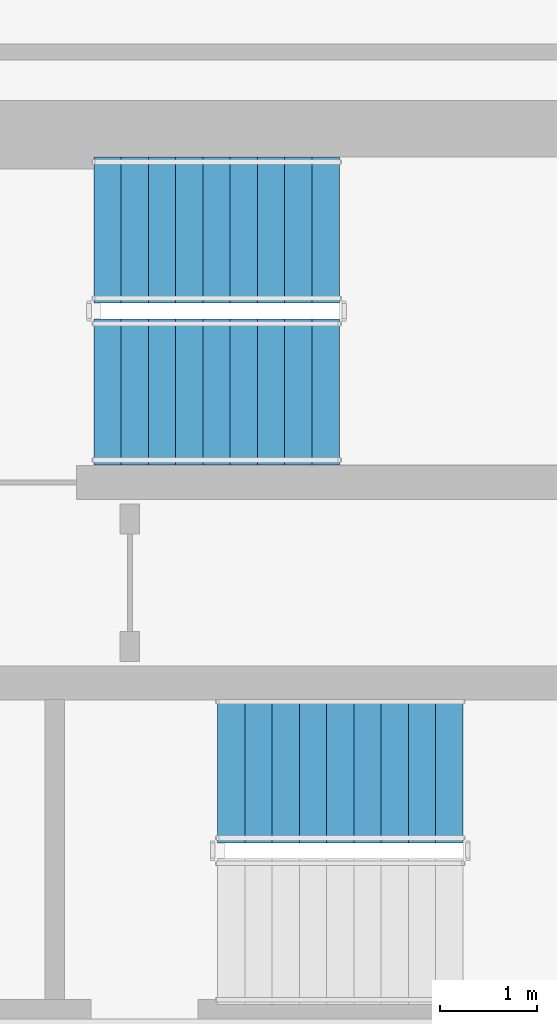
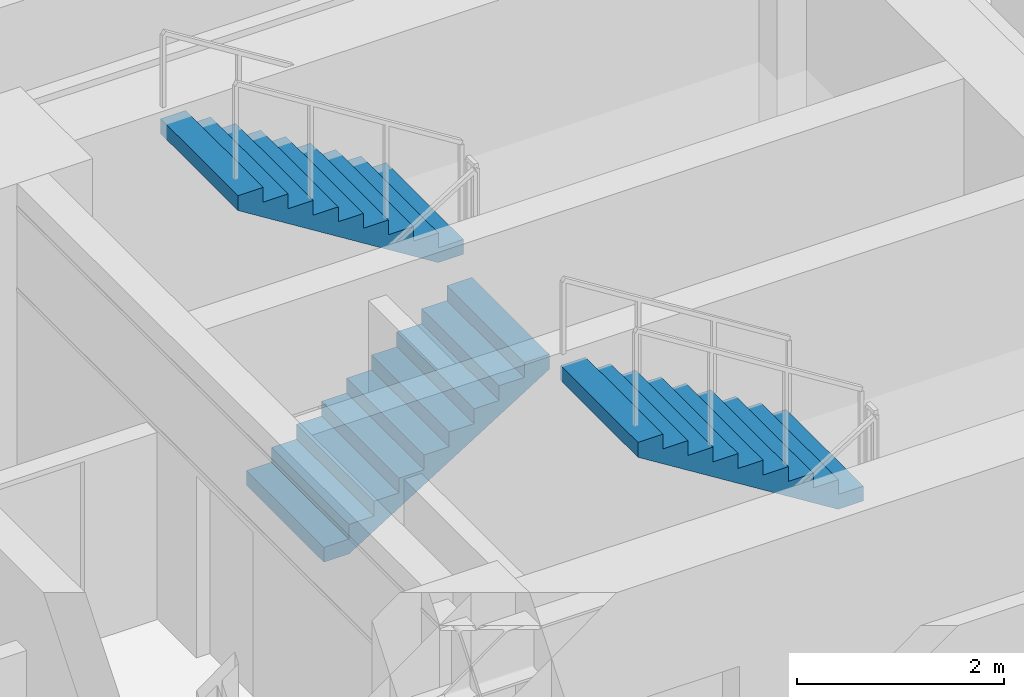
# One storey, part 12 of 16: 3 stair flights, 2 elements without a shape of their own.
"""IFC4 building model written with IfcOpenShell, lengths in metres."""

from ifc_helpers import new_model, si_unit, direction, frame, origin, place, context, subcontext, project, spatial, polyline, outline, extrude, material, layer, layer_set, type_object, element, aggregate, save


model = new_model("IFC4")

# Units and contexts
model_context = context("Model", 3, precision=1e-05, world=origin(), true_north=direction((0.0, 1.0)))
body_context = subcontext(model_context, "Body", "Model", "MODEL_VIEW")
ifc_project = project(units=[si_unit("LENGTHUNIT", "METRE"), si_unit("AREAUNIT", "SQUARE_METRE"), si_unit("VOLUMEUNIT", "CUBIC_METRE"), si_unit("PLANEANGLEUNIT", "RADIAN"), si_unit("MASSUNIT", "GRAM", prefix="KILO")], contexts=[model_context])

# Site, building, storey
site_placement = place(None, origin())
site = spatial("IfcSite", under=ifc_project, at=site_placement, CompositionType="ELEMENT")
building_placement = place(site_placement, origin())
building = spatial("IfcBuilding", under=site, at=building_placement, Name="Zarnavel Station Tower", CompositionType="ELEMENT")
storey_placement = place(building_placement, frame((0.0, 0.0, 39.5)))
storey = spatial("IfcBuildingStorey", under=building, at=storey_placement, Name="L10", CompositionType="ELEMENT", Elevation=39.5)

# Stair, stair flights
ifc_material_1 = material(Name="Concrete C45/55", Category="concrete")
stair_type = type_object("IfcStairType", Name="ST_CORE_150", PredefinedType="HALF_TURN_STAIR", material=ifc_material_1)
stair_1_placement = place(storey_placement, origin())
stair_1 = element("IfcStair", 1, at=stair_1_placement, inside=storey, type_object=stair_type, Name="L10 Core Exit Stair ST2", PredefinedType="HALF_TURN_STAIR")
ifc_material_2 = material(Name="Concrete C45/55", Category="concrete")
ifc_layer = layer(ifc_material_2, 0.179931640625)
ifc_layer_set = layer_set([ifc_layer], Name="ST_CORE_150_FLT")
stair_flight_type = type_object("IfcStairFlightType", Name="ST_CORE_150_FLT", PredefinedType="STRAIGHT", material=ifc_layer_set)
stair_flight_1_placement = place(storey_placement, frame((38.080078125, 34.409912109375, 0.0), z_axis=(0.0, 0.0, 1.0), x_axis=(1.0, 0.0, 0.0)))
stair_flight_1 = element("IfcStairFlight", 2, at=stair_flight_1_placement, type_object=stair_flight_type, Name="ST2 flight 1", NumberOfRisers=10, NumberOfTreads=9, PredefinedType="STRAIGHT", RiserHeight=0.175, TreadLength=0.28, context=body_context, shape_type="SweptSolid", body=[
    extrude(outline(polyline([(0.0, 0.0), (0.0, 0.175048828125), (0.280029296875, 0.175048828125), (0.280029296875, 0.35009765625), (0.56005859375, 0.35009765625), (0.56005859375, 0.52490234375), (0.840087890625, 0.52490234375), (0.840087890625, 0.699951171875), (1.1201171875, 0.699951171875), (1.1201171875, 0.875), (1.39990234375, 0.875), (1.39990234375, 1.050048828125), (1.679931640625, 1.050048828125), (1.679931640625, 1.22509765625), (1.9599609375, 1.22509765625), (1.9599609375, 1.39990234375), (2.239990234375, 1.39990234375), (2.239990234375, 1.574951171875), (2.52001953125, 1.574951171875), (2.52001953125, 1.75), (2.52001953125, 1.398193359375), (0.28271484375, 0.0), (0.0, 0.0)])), frame((0.0, 0.75, 0.0), z_axis=(0.0, -1.0, 0.0), x_axis=(1.0, 0.0, 0.0)), (0.0, 0.0, 1.0), 1.5),
])
stair_flight_2_placement = place(storey_placement, frame((40.60009765625, 36.070068359375, 1.75), z_axis=(0.0, 0.0, 1.0), x_axis=(-1.0, 0.0, 0.0)))
stair_flight_2 = element("IfcStairFlight", 3, at=stair_flight_2_placement, type_object=stair_flight_type, Name="ST2 flight 2", NumberOfRisers=10, NumberOfTreads=9, PredefinedType="STRAIGHT", RiserHeight=0.175, TreadLength=0.28, context=body_context, shape_type="SweptSolid", body=[
    extrude(outline(polyline([(0.0, 0.0), (0.0, 0.175048828125), (0.280029296875, 0.175048828125), (0.280029296875, 0.35009765625), (0.56005859375, 0.35009765625), (0.56005859375, 0.52490234375), (0.840087890625, 0.52490234375), (0.840087890625, 0.699951171875), (1.1201171875, 0.699951171875), (1.1201171875, 0.875), (1.39990234375, 0.875), (1.39990234375, 1.050048828125), (1.679931640625, 1.050048828125), (1.679931640625, 1.22509765625), (1.9599609375, 1.22509765625), (1.9599609375, 1.39990234375), (2.239990234375, 1.39990234375), (2.239990234375, 1.574951171875), (2.52001953125, 1.574951171875), (2.52001953125, 1.75), (2.52001953125, 1.398193359375), (0.28271484375, 0.0), (0.0, 0.0)])), frame((0.0, 0.75, 0.0), z_axis=(0.0, -1.0, 0.0), x_axis=(1.0, 0.0, 0.0)), (0.0, 0.0, 1.0), 1.5),
])
aggregate(stair_1, [stair_flight_1, stair_flight_2])

# Stair, stair flight
stair_2_placement = place(storey_placement, origin())
stair_2 = element("IfcStair", 4, at=stair_2_placement, inside=storey, type_object=stair_type, Name="L10 Core Exit Stair ST3", PredefinedType="HALF_TURN_STAIR")
stair_flight_3_placement = place(storey_placement, frame((41.8701171875, 30.530029296875, 1.75), z_axis=(0.0, 0.0, 1.0), x_axis=(-1.0, 0.0, 0.0)))
stair_flight_3 = element("IfcStairFlight", 5, at=stair_flight_3_placement, type_object=stair_flight_type, Name="ST3 flight 2", NumberOfRisers=10, NumberOfTreads=9, PredefinedType="STRAIGHT", RiserHeight=0.175, TreadLength=0.28, context=body_context, shape_type="SweptSolid", body=[
    extrude(outline(polyline([(0.0, 0.0), (0.0, 0.175048828125), (0.280029296875, 0.175048828125), (0.280029296875, 0.35009765625), (0.56005859375, 0.35009765625), (0.56005859375, 0.52490234375), (0.840087890625, 0.52490234375), (0.840087890625, 0.699951171875), (1.1201171875, 0.699951171875), (1.1201171875, 0.875), (1.39990234375, 0.875), (1.39990234375, 1.050048828125), (1.679931640625, 1.050048828125), (1.679931640625, 1.22509765625), (1.9599609375, 1.22509765625), (1.9599609375, 1.39990234375), (2.239990234375, 1.39990234375), (2.239990234375, 1.574951171875), (2.52001953125, 1.574951171875), (2.52001953125, 1.75), (2.52001953125, 1.398193359375), (0.28271484375, 0.0), (0.0, 0.0)])), frame((0.0, 0.75, 0.0), z_axis=(0.0, -1.0, 0.0), x_axis=(1.0, 0.0, 0.0)), (0.0, 0.0, 1.0), 1.5),
])
aggregate(stair_2, [stair_flight_3])

save(model, "model.ifc")
